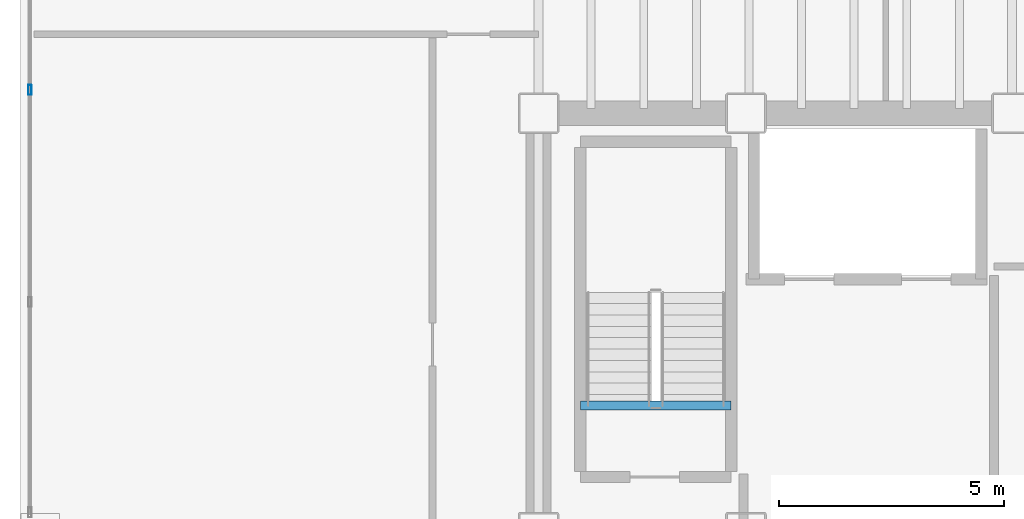
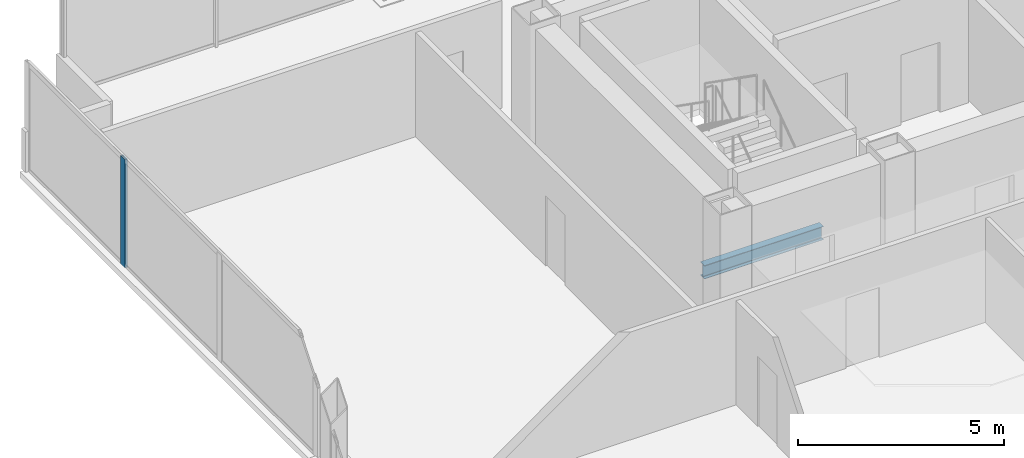
# One storey, part 7 of 18: 1 beam, 1 member, 1 element without a shape of its own.
"""IFC4 building model written with IfcOpenShell, lengths in metres."""

from ifc_helpers import new_model, si_unit, direction, frame, origin, origin_2d, place, context, subcontext, project, spatial, hollow_rectangle, i_section, extrude, material, material_profile, profile_set, type_object, element, aggregate, save


model = new_model("IFC4")

# Units and contexts
model_context = context("Model", 3, precision=1e-05, world=origin(), true_north=direction((0.0, 1.0)))
body_context = subcontext(model_context, "Body", "Model", "MODEL_VIEW")
ifc_project = project(units=[si_unit("LENGTHUNIT", "METRE"), si_unit("AREAUNIT", "SQUARE_METRE"), si_unit("VOLUMEUNIT", "CUBIC_METRE"), si_unit("PLANEANGLEUNIT", "RADIAN"), si_unit("MASSUNIT", "GRAM", prefix="KILO")], contexts=[model_context])

# Site, building, storey
site_placement = place(None, origin())
site = spatial("IfcSite", under=ifc_project, at=site_placement, CompositionType="ELEMENT")
building_placement = place(site_placement, origin())
building = spatial("IfcBuilding", under=site, at=building_placement, Name="Noeulbin Bourse Tower", CompositionType="ELEMENT")
storey_placement = place(building_placement, frame((0.0, 0.0, 161.699951171875)))
storey = spatial("IfcBuildingStorey", under=building, at=storey_placement, Name="L40", CompositionType="ELEMENT", Elevation=161.699951171875)

# Beam
ifc_material_1 = material(Name="Steel S355", Category="steel")
ifc_material_profile_1 = material_profile(ifc_material_1, i_section(OverallWidth=0.199951171875, OverallDepth=0.39990234375, WebThickness=0.008056640625, FlangeThickness=0.012939453125, FilletRadius=0.01611328125, at=origin_2d()), Name="H-400x200x8x13", Category="LoadBearing")
ifc_profile_set_1 = profile_set([ifc_material_profile_1], Name="Steel S355")
beam_type = type_object("IfcBeamType", Name="BM-SEC-400", PredefinedType="BEAM", material=ifc_profile_set_1)
beam_placement = place(storey_placement, frame((14.429931640625, 31.820068359375, -0.199951171875), z_axis=(1.0, 0.0, 0.0), x_axis=(0.0, 1.0, 0.0)))
element("IfcBeam", 1, at=beam_placement, inside=storey, type_object=beam_type, Name="Stair Threshold Trimmer Beam ST1-L40", PredefinedType="BEAM", context=body_context, shape_type="SweptSolid", body=[
    extrude(i_section(OverallWidth=0.199951171875, OverallDepth=0.39990234375, WebThickness=0.008056640625, FlangeThickness=0.012939453125, FilletRadius=0.01611328125, at=origin_2d()), origin(), (0.0, 0.0, 1.0), 3.340087890625),
])

# Curtain wall, member
ifc_material_2 = material(Name="Dark Tinted Triple Glazing", Category="glass")
curtain_wall_type = type_object("IfcCurtainWallType", Name="CW-SYS-3", PredefinedType="NOTDEFINED", material=ifc_material_2)
curtain_wall_placement = place(storey_placement, origin())
curtain_wall = element("IfcCurtainWall", 2, at=curtain_wall_placement, inside=storey, type_object=curtain_wall_type, Name="Unitised Curtain Wall CW-L40-W-S2", PredefinedType="NOTDEFINED")
ifc_material_3 = material(Name="Anodised Aluminium 6063-T6", Category="aluminium")
ifc_material_profile_2 = material_profile(ifc_material_3, hollow_rectangle(XDim=0.074951171875, YDim=0.219970703125, WallThickness=0.0048828125, InnerFilletRadius=0.00244140625, OuterFilletRadius=0.0048828125, at=origin_2d()), Name="ALU-MULL-75x220x5", Category="LoadBearing")
ifc_profile_set_2 = profile_set([ifc_material_profile_2], Name="Anodised Aluminium 6063-T6")
member_type = type_object("IfcMemberType", Name="CW-SYS-3-MUL", PredefinedType="MULLION", material=ifc_profile_set_2)
member_placement = place(storey_placement, frame((2.219970703125, 38.816650390625, -0.02001953125), z_axis=(0.0, 0.0, 1.0), x_axis=(1.0, 0.0, 0.0)))
member = element("IfcMember", 3, at=member_placement, type_object=member_type, Name="Curtain Wall Mullion CW-L40-W-S2-M02", PredefinedType="MULLION", context=body_context, shape_type="SweptSolid", body=[
    extrude(hollow_rectangle(XDim=0.074951171875, YDim=0.219970703125, WallThickness=0.0048828125, InnerFilletRadius=0.00244140625, OuterFilletRadius=0.0048828125, at=origin_2d()), origin(), (0.0, 0.0, 1.0), 3.219970703125),
])
aggregate(curtain_wall, [member])

save(model, "model.ifc")
